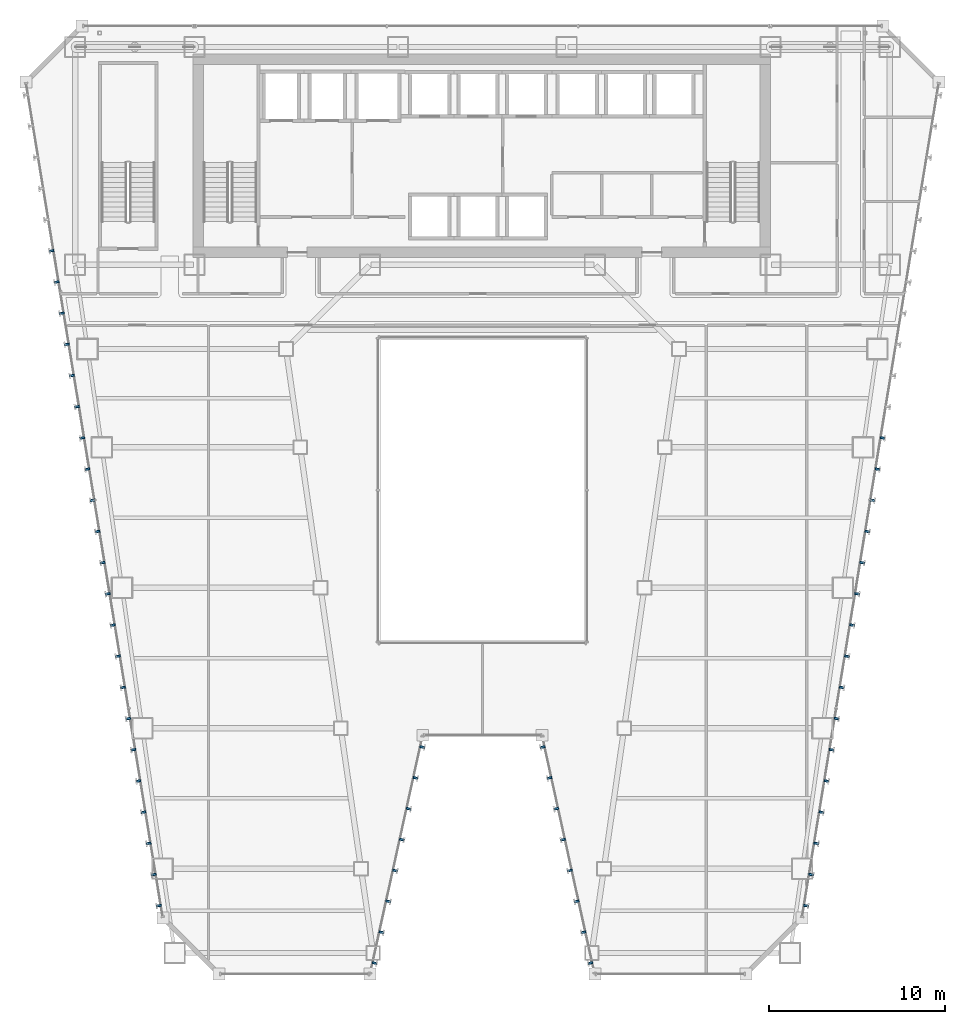
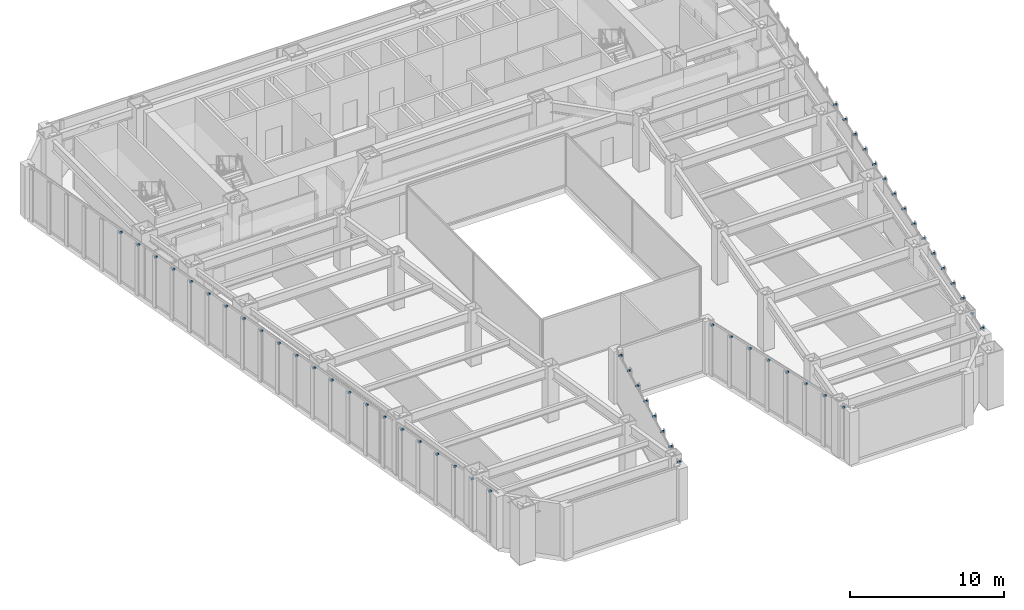
# One storey, part 39 of 49: 54 discrete accessories.
"""IFC4 building model written with IfcOpenShell, lengths in metres."""

from ifc_helpers import new_model, si_unit, direction, frame, origin, origin_2d, place, context, subcontext, project, spatial, rectangle, extrude, material, layer, layer_set, type_object, element, save


model = new_model("IFC4")

# Units and contexts
model_context = context("Model", 3, precision=1e-05, world=origin(), true_north=direction((0.0, 1.0)))
body_context = subcontext(model_context, "Body", "Model", "MODEL_VIEW")
ifc_project = project(units=[si_unit("LENGTHUNIT", "METRE"), si_unit("AREAUNIT", "SQUARE_METRE"), si_unit("VOLUMEUNIT", "CUBIC_METRE"), si_unit("PLANEANGLEUNIT", "RADIAN"), si_unit("MASSUNIT", "GRAM", prefix="KILO")], contexts=[model_context])

# Site, building, storey
site_placement = place(None, origin())
site = spatial("IfcSite", under=ifc_project, at=site_placement, CompositionType="ELEMENT")
building_placement = place(site_placement, origin())
building = spatial("IfcBuilding", under=site, at=building_placement, Name="Saevonmaru Cultural Tower", CompositionType="ELEMENT")
storey_placement = place(building_placement, frame((0.0, 0.0, 38.39990234375)))
storey = spatial("IfcBuildingStorey", under=building, at=storey_placement, Name="L07", CompositionType="ELEMENT", Elevation=38.39990234375)

# Discrete accessories
ifc_material = material(Name="Stainless Steel 316", Category="steel")
ifc_layer = layer(ifc_material, 0.1201171875, Name="Stainless Steel 316")
ifc_layer_set = layer_set([ifc_layer], Name="Stainless Steel 316")
discrete_accessory_type = type_object("IfcDiscreteAccessoryType", Name="ACC-FIN-BRKT", PredefinedType="BRACKET", material=ifc_layer_set)
for number, where, z_axis, x_axis, name in (
    (1, (23.850341796875, 2.624267578125, 3.929931640625), (0.0, 0.0, 1.0), (0.976522126798, -0.215417120661, 0.0), "L07 Bronze Fin Bracket E3-01"),
    (2, (24.238037109375, 4.3818359375, 3.929931640625), (0.0, 0.0, 1.0), (0.976522126798, -0.215417120661, 0.0), "L07 Bronze Fin Bracket E3-02"),
    (3, (24.625732421875, 6.1396484375, 3.929931640625), (0.0, 0.0, 1.0), (0.976522126798, -0.215417120661, 0.0), "L07 Bronze Fin Bracket E3-03"),
    (4, (25.013427734375, 7.8974609375, 3.929931640625), (0.0, 0.0, 1.0), (0.976522126798, -0.215417120661, 0.0), "L07 Bronze Fin Bracket E3-04"),
    (5, (25.4013671875, 9.6552734375, 3.929931640625), (0.0, 0.0, 1.0), (0.976522126798, -0.215417120661, 0.0), "L07 Bronze Fin Bracket E3-05"),
    (6, (25.7890625, 11.412841796875, 3.929931640625), (0.0, 0.0, 1.0), (0.976522126798, -0.215417120661, 0.0), "L07 Bronze Fin Bracket E3-06"),
    (7, (26.1767578125, 13.170654296875, 3.929931640625), (0.0, 0.0, 1.0), (0.976522126798, -0.215417120661, 0.0), "L07 Bronze Fin Bracket E3-07"),
    (8, (26.564453125, 14.928466796875, 3.929931640625), (0.0, 0.0, 1.0), (0.976522126798, -0.215417120661, 0.0), "L07 Bronze Fin Bracket E3-08"),
    (9, (33.435546875, 14.928466796875, 3.929931640625), (0.0, 0.0, 1.0), (-0.976522126798, -0.215417120661, 0.0), "L07 Bronze Fin Bracket E5-01"),
    (10, (33.8232421875, 13.170654296875, 3.929931640625), (0.0, 0.0, 1.0), (-0.976522126798, -0.215417120661, 0.0), "L07 Bronze Fin Bracket E5-02"),
    (11, (34.2109375, 11.412841796875, 3.929931640625), (0.0, 0.0, 1.0), (-0.976522126798, -0.215417120661, 0.0), "L07 Bronze Fin Bracket E5-03"),
    (12, (34.5986328125, 9.6552734375, 3.929931640625), (0.0, 0.0, 1.0), (-0.976522126798, -0.215417120661, 0.0), "L07 Bronze Fin Bracket E5-04"),
    (13, (34.986572265625, 7.8974609375, 3.929931640625), (0.0, 0.0, 1.0), (-0.976522126798, -0.215417120661, 0.0), "L07 Bronze Fin Bracket E5-05"),
    (14, (35.374267578125, 6.1396484375, 3.929931640625), (0.0, 0.0, 1.0), (-0.976522126798, -0.215417120661, 0.0), "L07 Bronze Fin Bracket E5-06"),
    (15, (35.761962890625, 4.3818359375, 3.929931640625), (0.0, 0.0, 1.0), (-0.976522126798, -0.215417120661, 0.0), "L07 Bronze Fin Bracket E5-07"),
    (16, (36.149658203125, 2.624267578125, 3.929931640625), (0.0, 0.0, 1.0), (-0.976522126798, -0.215417120661, 0.0), "L07 Bronze Fin Bracket E5-08"),
    (17, (48.424560546875, 5.89013671875, 3.929931640625), (0.0, 0.0, 1.0), (0.986827496189, -0.161776057456, 0.0), "L07 Bronze Fin Bracket E8-01"),
    (18, (48.715576171875, 7.66650390625, 3.929931640625), (0.0, 0.0, 1.0), (0.986827496189, -0.161776057456, 0.0), "L07 Bronze Fin Bracket E8-02"),
    (19, (49.006591796875, 9.44287109375, 3.929931640625), (0.0, 0.0, 1.0), (0.986827496189, -0.161776057456, 0.0), "L07 Bronze Fin Bracket E8-03"),
    (20, (49.2978515625, 11.218994140625, 3.929931640625), (0.0, 0.0, 1.0), (0.986827496189, -0.161776057456, 0.0), "L07 Bronze Fin Bracket E8-04"),
    (21, (49.5888671875, 12.995361328125, 3.929931640625), (0.0, 0.0, 1.0), (0.986827496189, -0.161776057456, 0.0), "L07 Bronze Fin Bracket E8-05"),
    (22, (49.8798828125, 14.771728515625, 3.929931640625), (0.0, 0.0, 1.0), (0.986827496189, -0.161776057456, 0.0), "L07 Bronze Fin Bracket E8-06"),
    (23, (50.1708984375, 16.548095703125, 3.929931640625), (0.0, 0.0, 1.0), (0.986827496189, -0.161776057456, 0.0), "L07 Bronze Fin Bracket E8-07"),
    (24, (50.462158203125, 18.324462890625, 3.929931640625), (0.0, 0.0, 1.0), (0.986827496189, -0.161776057456, 0.0), "L07 Bronze Fin Bracket E8-08"),
    (25, (50.753173828125, 20.1005859375, 3.929931640625), (0.0, 0.0, 1.0), (0.986827496189, -0.161776057456, 0.0), "L07 Bronze Fin Bracket E8-09"),
    (26, (51.044189453125, 21.876953125, 3.929931640625), (0.0, 0.0, 1.0), (0.986827496189, -0.161776057456, 0.0), "L07 Bronze Fin Bracket E8-10"),
    (27, (51.335205078125, 23.6533203125, 3.929931640625), (0.0, 0.0, 1.0), (0.986827496189, -0.161776057456, 0.0), "L07 Bronze Fin Bracket E8-11"),
    (28, (51.62646484375, 25.4296875, 3.929931640625), (0.0, 0.0, 1.0), (0.986827496189, -0.161776057456, 0.0), "L07 Bronze Fin Bracket E8-12"),
    (29, (51.91748046875, 27.205810546875, 3.929931640625), (0.0, 0.0, 1.0), (0.986827496189, -0.161776057456, 0.0), "L07 Bronze Fin Bracket E8-13"),
    (30, (52.20849609375, 28.982177734375, 3.929931640625), (0.0, 0.0, 1.0), (0.986827496189, -0.161776057456, 0.0), "L07 Bronze Fin Bracket E8-14"),
    (31, (52.49951171875, 30.758544921875, 3.929931640625), (0.0, 0.0, 1.0), (0.986827496189, -0.161776057456, 0.0), "L07 Bronze Fin Bracket E8-15"),
    (32, (52.790771484375, 32.534912109375, 3.929931640625), (0.0, 0.0, 1.0), (0.986827496189, -0.161776057456, 0.0), "L07 Bronze Fin Bracket E8-16"),
    (33, (5.462890625, 43.192626953125, 3.929931640625), (0.0, 0.0, 1.0), (-0.986827496189, -0.161776057456, 0.0), "L07 Bronze Fin Bracket E12-06"),
    (34, (5.75390625, 41.41650390625, 3.929931640625), (0.0, 0.0, 1.0), (-0.986827496189, -0.161776057456, 0.0), "L07 Bronze Fin Bracket E12-07"),
    (35, (6.044921875, 39.64013671875, 3.929931640625), (0.0, 0.0, 1.0), (-0.986827496189, -0.161776057456, 0.0), "L07 Bronze Fin Bracket E12-08"),
    (36, (6.336181640625, 37.86376953125, 3.929931640625), (0.0, 0.0, 1.0), (-0.986827496189, -0.161776057456, 0.0), "L07 Bronze Fin Bracket E12-09"),
    (37, (6.627197265625, 36.08740234375, 3.929931640625), (0.0, 0.0, 1.0), (-0.986827496189, -0.161776057456, 0.0), "L07 Bronze Fin Bracket E12-10"),
    (38, (6.918212890625, 34.31103515625, 3.929931640625), (0.0, 0.0, 1.0), (-0.986827496189, -0.161776057456, 0.0), "L07 Bronze Fin Bracket E12-11"),
    (39, (7.209228515625, 32.534912109375, 3.929931640625), (0.0, 0.0, 1.0), (-0.986827496189, -0.161776057456, 0.0), "L07 Bronze Fin Bracket E12-12"),
    (40, (7.50048828125, 30.758544921875, 3.929931640625), (0.0, 0.0, 1.0), (-0.986827496189, -0.161776057456, 0.0), "L07 Bronze Fin Bracket E12-13"),
    (41, (7.79150390625, 28.982177734375, 3.929931640625), (0.0, 0.0, 1.0), (-0.986827496189, -0.161776057456, 0.0), "L07 Bronze Fin Bracket E12-14"),
    (42, (8.08251953125, 27.205810546875, 3.929931640625), (0.0, 0.0, 1.0), (-0.986827496189, -0.161776057456, 0.0), "L07 Bronze Fin Bracket E12-15"),
    (43, (8.37353515625, 25.4296875, 3.929931640625), (0.0, 0.0, 1.0), (-0.986827496189, -0.161776057456, 0.0), "L07 Bronze Fin Bracket E12-16"),
    (44, (8.664794921875, 23.6533203125, 3.929931640625), (0.0, 0.0, 1.0), (-0.986827496189, -0.161776057456, 0.0), "L07 Bronze Fin Bracket E12-17"),
    (45, (8.955810546875, 21.876953125, 3.929931640625), (0.0, 0.0, 1.0), (-0.986827496189, -0.161776057456, 0.0), "L07 Bronze Fin Bracket E12-18"),
    (46, (9.246826171875, 20.1005859375, 3.929931640625), (0.0, 0.0, 1.0), (-0.986827496189, -0.161776057456, 0.0), "L07 Bronze Fin Bracket E12-19"),
    (47, (9.537841796875, 18.324462890625, 3.929931640625), (0.0, 0.0, 1.0), (-0.986827496189, -0.161776057456, 0.0), "L07 Bronze Fin Bracket E12-20"),
    (48, (9.8291015625, 16.548095703125, 3.929931640625), (0.0, 0.0, 1.0), (-0.986827496189, -0.161776057456, 0.0), "L07 Bronze Fin Bracket E12-21"),
    (49, (10.1201171875, 14.771728515625, 3.929931640625), (0.0, 0.0, 1.0), (-0.986827496189, -0.161776057456, 0.0), "L07 Bronze Fin Bracket E12-22"),
    (50, (10.4111328125, 12.995361328125, 3.929931640625), (0.0, 0.0, 1.0), (-0.986827496189, -0.161776057456, 0.0), "L07 Bronze Fin Bracket E12-23"),
    (51, (10.7021484375, 11.218994140625, 3.929931640625), (0.0, 0.0, 1.0), (-0.986827496189, -0.161776057456, 0.0), "L07 Bronze Fin Bracket E12-24"),
    (52, (10.993408203125, 9.44287109375, 3.929931640625), (0.0, 0.0, 1.0), (-0.986827496189, -0.161776057456, 0.0), "L07 Bronze Fin Bracket E12-25"),
    (53, (11.284423828125, 7.66650390625, 3.929931640625), (0.0, 0.0, 1.0), (-0.986827496189, -0.161776057456, 0.0), "L07 Bronze Fin Bracket E12-26"),
    (54, (11.575439453125, 5.89013671875, 3.929931640625), (0.0, 0.0, 1.0), (-0.986827496189, -0.161776057456, 0.0), "L07 Bronze Fin Bracket E12-27"),
):
    element("IfcDiscreteAccessory", number, at=place(storey_placement, frame(where, z_axis=z_axis, x_axis=x_axis)), inside=storey, type_object=discrete_accessory_type, Name=name, PredefinedType="BRACKET", context=body_context, shape_type="SweptSolid", body=[
        extrude(rectangle(XDim=0.260009765625, YDim=0.1201171875, at=origin_2d()), origin(), (0.0, 0.0, 1.0), 0.1201171875),
    ])

save(model, "model.ifc")
